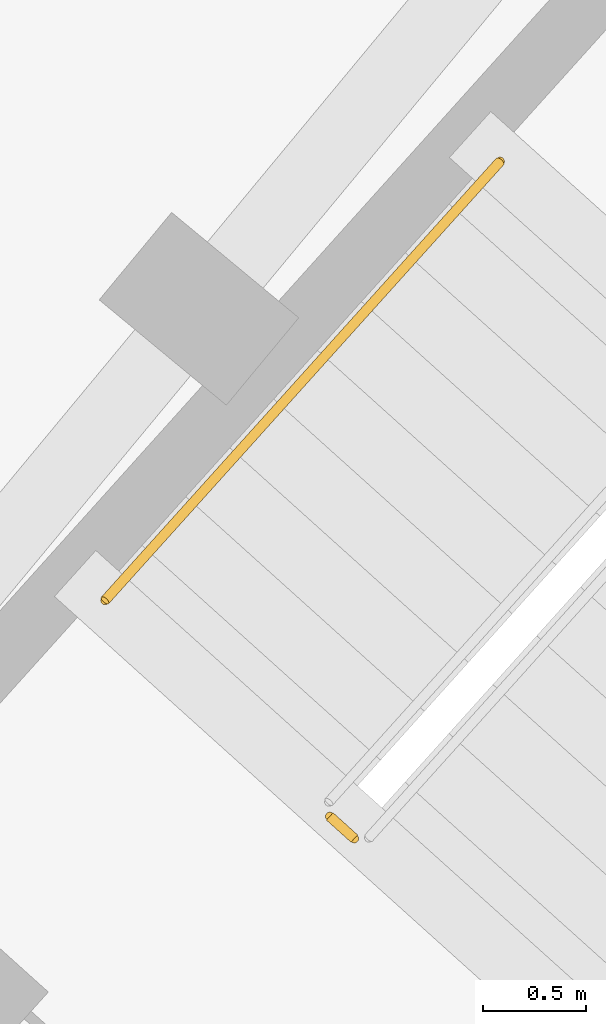
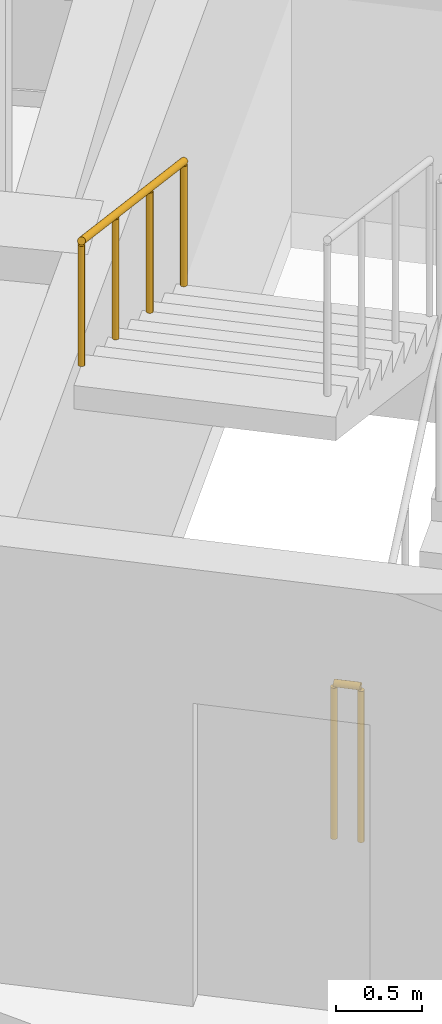
# One storey, part 49 of 54: 2 railings.
"""IFC4 building model written with IfcOpenShell, lengths in metres."""

from ifc_helpers import new_model, si_unit, direction, frame, origin, origin_2d, place, context, subcontext, project, spatial, circle, extrude, material, type_object, element, save


model = new_model("IFC4")

# Units and contexts
model_context = context("Model", 3, precision=1e-05, world=origin(), true_north=direction((0.0, 1.0)))
body_context = subcontext(model_context, "Body", "Model", "MODEL_VIEW")
ifc_project = project(units=[si_unit("LENGTHUNIT", "METRE"), si_unit("AREAUNIT", "SQUARE_METRE"), si_unit("VOLUMEUNIT", "CUBIC_METRE"), si_unit("PLANEANGLEUNIT", "RADIAN"), si_unit("MASSUNIT", "GRAM", prefix="KILO")], contexts=[model_context])

# Site, building, storey
site_placement = place(None, origin())
site = spatial("IfcSite", under=ifc_project, at=site_placement, CompositionType="ELEMENT")
building_placement = place(site_placement, origin())
building = spatial("IfcBuilding", under=site, at=building_placement, Name="Zimvara Arc Housing Community", CompositionType="ELEMENT")
storey_placement = place(building_placement, frame((0.0, 0.0, 20.5)))
storey = spatial("IfcBuildingStorey", under=building, at=storey_placement, Name="L06", CompositionType="ELEMENT", Elevation=20.5)

# Railings
ifc_material_1 = material(Name="Anodised Aluminium AW-6063", Category="aluminium")
railing_type_1 = type_object("IfcRailingType", Name="RLG-BAL-1120", PredefinedType="BALUSTRADE", material=ifc_material_1)
railing_1_placement = place(storey_placement, frame((80.074951171875, 83.3623046875, 0.0)))
element("IfcRailing", 1, at=railing_1_placement, inside=storey, type_object=railing_type_1, Name="L06 ST-B2 stair guard 4", PredefinedType="BALUSTRADE", context=body_context, shape_type="SweptSolid", body=[
    extrude(circle(Radius=0.02392578125, at=origin_2d()), frame((0.0, 0.0, 1.09619140625), z_axis=(-0.742763048172, 0.669554369913, 0.0), x_axis=(-0.669554369913, -0.742763048172, 0.0)), (0.0, 0.0, 1.0), 0.16015625),
    extrude(circle(Radius=0.02099609375, at=origin_2d()), origin(), (0.0, 0.0, 1.0), 1.072021484375),
    extrude(circle(Radius=0.02099609375, at=origin_2d()), frame((-0.118896484375, 0.107177734375, 0.0)), (0.0, 0.0, 1.0), 1.072021484375),
])
ifc_material_2 = material(Name="Anodised Aluminium AW-6063", Category="aluminium")
railing_type_2 = type_object("IfcRailingType", Name="RLG-HND-900", PredefinedType="HANDRAIL", material=ifc_material_2)
railing_2_placement = place(storey_placement, frame((80.78125, 86.64404296875, 1.705078125)))
element("IfcRailing", 2, at=railing_2_placement, inside=storey, type_object=railing_type_2, Name="L06 ST-B2 stair handrail 2", PredefinedType="HANDRAIL", context=body_context, shape_type="SweptSolid", body=[
    extrude(circle(Radius=0.02392578125, at=origin_2d()), frame((0.0, 0.0, 0.8759765625), z_axis=(-0.601262536038, -0.668205807809, 0.438160200347), x_axis=(0.743362010683, -0.668889319, 0.0)), (0.0, 0.0, 1.0), 3.183837890625),
    extrude(circle(Radius=0.02099609375, at=origin_2d()), origin(), (0.0, 0.0, 1.0), 0.851806640625),
    extrude(circle(Radius=0.02099609375, at=origin_2d()), frame((-0.63818359375, -0.709228515625, 0.465087890625)), (0.0, 0.0, 1.0), 0.851806640625),
    extrude(circle(Radius=0.02099609375, at=origin_2d()), frame((-1.276123046875, -1.418212890625, 0.929931640625)), (0.0, 0.0, 1.0), 0.851806640625),
    extrude(circle(Radius=0.02099609375, at=origin_2d()), frame((-1.914306640625, -2.12744140625, 1.39501953125)), (0.0, 0.0, 1.0), 0.851806640625),
])

save(model, "model.ifc")
